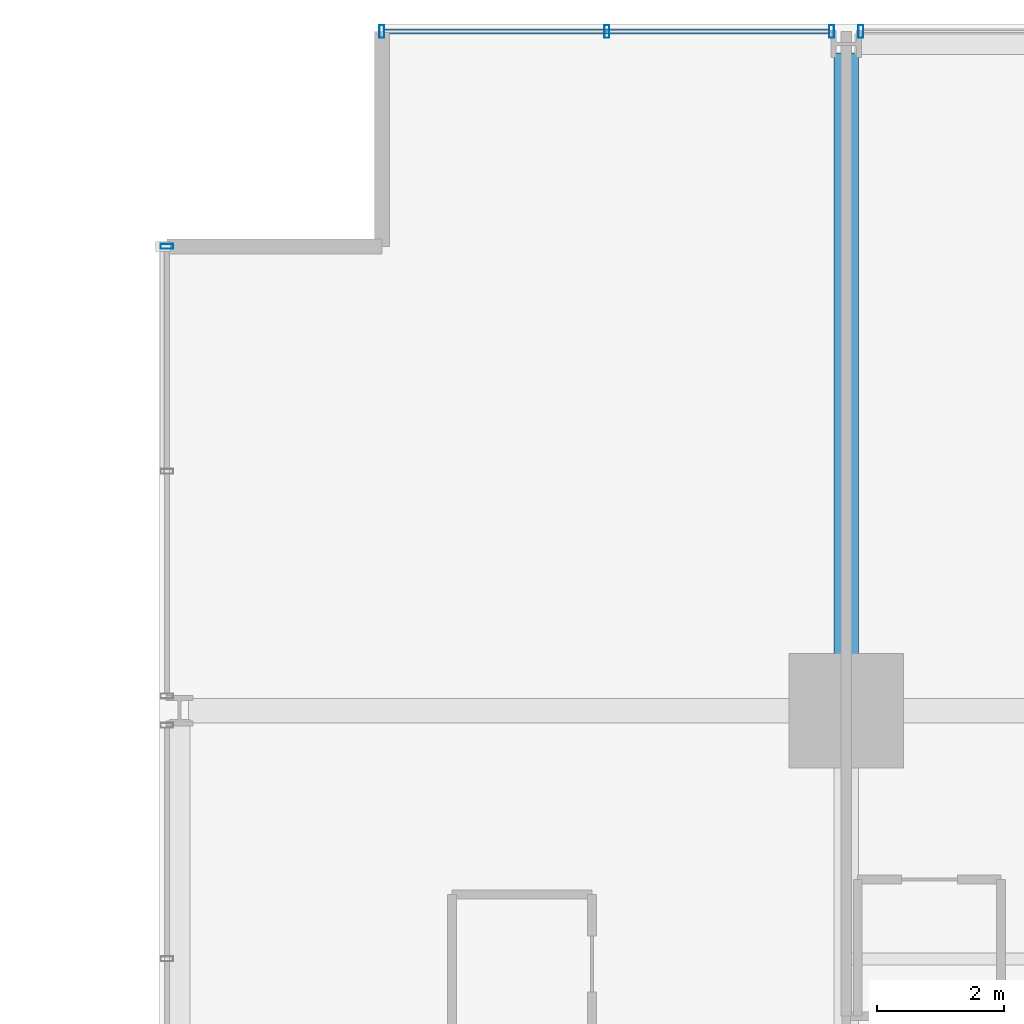
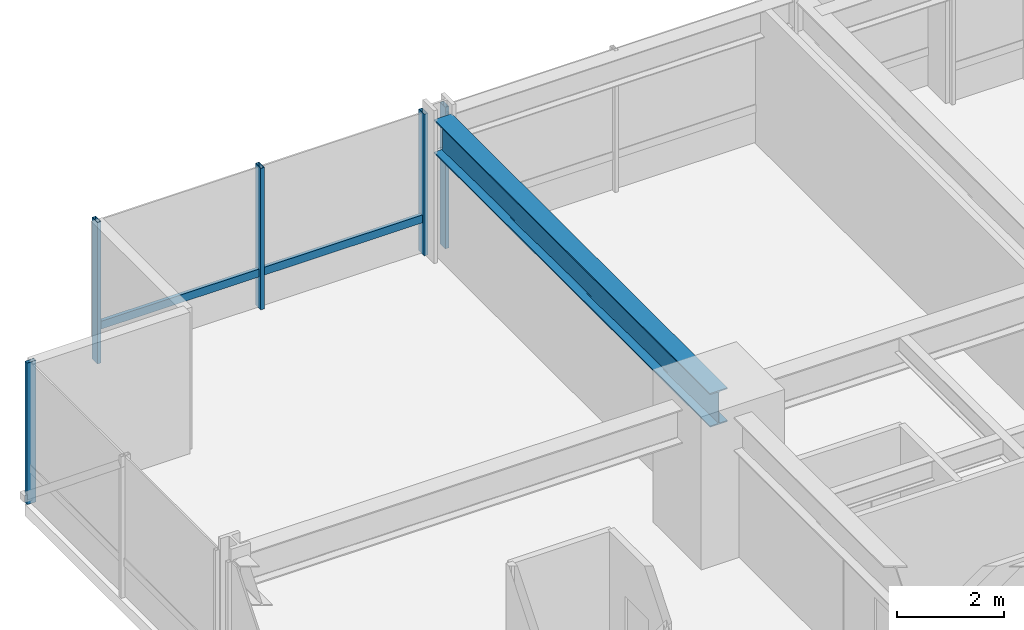
# One storey, part 21 of 38: 6 members, 1 beam, 3 elements without a shape of their own.
"""IFC4 building model written with IfcOpenShell, lengths in metres."""

import ifcopenshell
import ifcopenshell.guid

model = None  # the IFC model being written
_history = None  # IfcOwnerHistory: only IFC2X3 demands one
_inside = {}  # id of a spatial element -> (the spatial element, [elements in it])
_under = {}  # id of a project, library or spatial element -> (it, [spatial elements below it])
_declared = {}  # id of a project -> (the project, [libraries it declares])
_typed = {}  # id of a type object -> (the type object, [elements of that type])
_made_of = {}  # id of a material, layer set ... -> (it, [elements and type objects made of it])


def new_model(schema):
    """Start an empty IFC model of exactly this schema.

    Asked for "IFC4X3", IfcOpenShell would pick the latest addendum, in which some entities
    have other attributes; the version numbers below select the first issue.
    IFC2X3 requires an IfcOwnerHistory on every rooted entity: one is made here for all.
    """
    global model, _history
    if schema == "IFC4X3":
        model = ifcopenshell.file(schema_version=(4, 3, 0, 0))
    else:
        model = ifcopenshell.file(schema=schema)
    _inside.clear()
    _under.clear()
    _declared.clear()
    _typed.clear()
    _made_of.clear()
    _history = None
    if model.schema == "IFC2X3":
        org = make("IfcOrganization", Name="unknown")
        user = make(
            "IfcPersonAndOrganization",
            ThePerson=make("IfcPerson", FamilyName="unknown"),
            TheOrganization=org,
        )
        app = make(
            "IfcApplication",
            ApplicationDeveloper=org,
            Version="unknown",
            ApplicationFullName="unknown",
            ApplicationIdentifier="unknown",
        )
        _history = make(
            "IfcOwnerHistory",
            OwningUser=user,
            OwningApplication=app,
            ChangeAction="ADDED",
            CreationDate=0,
        )
    return model


def make(cls, **values):
    """One entity of the class cls with the attributes given. An attribute that is None is left unset."""
    return model.create_entity(
        cls, **{name: value for name, value in values.items() if value is not None}
    )


def rooted(cls, **values):
    """An entity with a GlobalId (a new one), such as an element, a storey or a relation."""
    return make(cls, GlobalId=ifcopenshell.guid.new(), OwnerHistory=_history, **values)


def si_unit(unit_type, name, prefix=None):
    """IfcSIUnit, for example si_unit("LENGTHUNIT", "METRE", prefix="MILLI")."""
    return make("IfcSIUnit", UnitType=unit_type, Prefix=prefix, Name=name)


def assignment(units):
    """IfcUnitAssignment: the units of a project."""
    return None if units is None else make("IfcUnitAssignment", Units=units)


def point(xyz):
    """IfcCartesianPoint."""
    return None if xyz is None else make("IfcCartesianPoint", Coordinates=xyz)


def direction(xyz):
    """IfcDirection."""
    return None if xyz is None else make("IfcDirection", DirectionRatios=xyz)


def frame(location, z_axis=None, x_axis=None):
    """IfcAxis2Placement3D, a coordinate frame: its origin and axes. An axis left out is left unset."""
    return make(
        "IfcAxis2Placement3D",
        Location=point(location),
        Axis=direction(z_axis),
        RefDirection=direction(x_axis),
    )


def frame_2d(location, x_axis=None):
    """IfcAxis2Placement2D, a coordinate frame in the plane: its origin and x axis."""
    return make(
        "IfcAxis2Placement2D", Location=point(location), RefDirection=direction(x_axis)
    )


def origin():
    """The frame at (0, 0, 0) with its axes left unset."""
    return frame((0.0, 0.0, 0.0))


def origin_2d():
    """The frame at (0, 0) in the plane with its x axis left unset."""
    return frame_2d((0.0, 0.0))


def place(relative_to, where):
    """IfcLocalPlacement: puts the frame where relative to a parent placement (None: the world)."""
    return make(
        "IfcLocalPlacement", PlacementRelTo=relative_to, RelativePlacement=where
    )


def context(
    kind, dimensions, precision=None, world=None, true_north=None, identifier=None
):
    """IfcGeometricRepresentationContext, for example the 3D "Model" context."""
    return make(
        "IfcGeometricRepresentationContext",
        ContextIdentifier=identifier,
        ContextType=kind,
        CoordinateSpaceDimension=dimensions,
        Precision=precision,
        WorldCoordinateSystem=world,
        TrueNorth=true_north,
    )


def subcontext(parent, identifier, kind, view, scale=None):
    """IfcGeometricRepresentationSubContext, for example "Body" below "Model"."""
    return make(
        "IfcGeometricRepresentationSubContext",
        ContextIdentifier=identifier,
        ContextType=kind,
        ParentContext=parent,
        TargetScale=scale,
        TargetView=view,
    )


def project(units=None, contexts=None):
    """IfcProject with its units and contexts."""
    return rooted(
        "IfcProject",
        Name="project",
        RepresentationContexts=contexts,
        UnitsInContext=assignment(units),
    )


def spatial(cls, under=None, at=None, **own):
    """A site, building, storey or space (cls), placed at a placement, below another one or the project."""
    s = rooted(cls, ObjectPlacement=at, **own)
    if under is not None:
        _under.setdefault(under.id(), (under, []))[1].append(s)
    return s


def profile(cls, at=None, kind="AREA", **sizes):
    """A parametric profile (cls). Its sizes go by their IFC names, for example OverallWidth=200.0."""
    return make(cls, ProfileType=kind, Position=at, **sizes)


def hollow_rectangle(**sizes):
    """IfcRectangleHollowProfileDef."""
    return profile("IfcRectangleHollowProfileDef", **sizes)


def i_section(**sizes):
    """IfcIShapeProfileDef."""
    return profile("IfcIShapeProfileDef", **sizes)


def extrude(swept, where, along, depth):
    """IfcExtrudedAreaSolid: the profile swept, set in the frame where, extruded along a direction by depth."""
    return make(
        "IfcExtrudedAreaSolid",
        SweptArea=swept,
        Position=where,
        ExtrudedDirection=direction(along),
        Depth=depth,
    )


def shape(context_of_items, identifier, shape_type, items):
    """IfcShapeRepresentation: the items that make up one representation, for example the "Body"."""
    return make(
        "IfcShapeRepresentation",
        ContextOfItems=context_of_items,
        RepresentationIdentifier=identifier,
        RepresentationType=shape_type,
        Items=items,
    )


def material(Name=None, Category=None):
    """IfcMaterial."""
    return make("IfcMaterial", Name=Name, Category=Category)


def layer(
    of_material, thickness, ventilated=None, Name=None, Category=None, Priority=None
):
    """IfcMaterialLayer: one layer of a wall or slab, of a material (None: an air gap)."""
    return make(
        "IfcMaterialLayer",
        Material=of_material,
        LayerThickness=thickness,
        IsVentilated=ventilated,
        Name=Name,
        Category=Category,
        Priority=Priority,
    )


def layer_set(layers, Name=None):
    """IfcMaterialLayerSet."""
    return make("IfcMaterialLayerSet", MaterialLayers=layers, LayerSetName=Name)


def material_profile(
    of_material, cross_section, Name=None, Category=None, Priority=None
):
    """IfcMaterialProfile: a cross section and its material."""
    return make(
        "IfcMaterialProfile",
        Name=Name,
        Material=of_material,
        Profile=cross_section,
        Priority=Priority,
        Category=Category,
    )


def profile_set(profiles, Name=None, composite=None):
    """IfcMaterialProfileSet."""
    return make(
        "IfcMaterialProfileSet",
        Name=Name,
        MaterialProfiles=profiles,
        CompositeProfile=composite,
    )


def made_of(thing, what):
    """Note that an element or type object is made of a material, layer set ...; save() writes the relation."""
    if what is not None:
        _made_of.setdefault(what.id(), (what, []))[1].append(thing)
    return thing


def type_object(cls, material=None, **own):
    """A type object (cls), such as IfcWallType, which elements share."""
    return made_of(rooted(cls, **own), material)


def element(
    cls,
    number,
    at=None,
    inside=None,
    cuts=None,
    type_object=None,
    material=None,
    context=None,
    identifier="Body",
    shape_type=None,
    held_by="IfcProductDefinitionShape",
    body=None,
    shapes=None,
    **own,
):
    """One element of the class cls, such as IfcWall. Its Tag is "e" and its number.

    at: its placement. inside: the storey or other place that contains it. cuts: it is an
    opening in that element (IfcRelVoidsElement). A single representation is given by context,
    identifier, shape_type and body (its items); several are given by shapes. held_by: the class
    of the entity that holds the representations. save() writes the other relations.
    """
    e = rooted(cls, Tag="e%d" % number, ObjectPlacement=at, **own)
    if body is not None:
        shapes = [shape(context, identifier, shape_type, body)]
    if shapes is not None:
        e.Representation = make(held_by, Representations=shapes)
    if inside is not None:
        _inside.setdefault(inside.id(), (inside, []))[1].append(e)
    if cuts is not None:
        rooted(
            "IfcRelVoidsElement", RelatingBuildingElement=cuts, RelatedOpeningElement=e
        )
    if type_object is not None:
        _typed.setdefault(type_object.id(), (type_object, []))[1].append(e)
    return made_of(e, material)


def aggregate(whole, parts):
    """IfcRelAggregates: a whole, such as a stair, and the parts it consists of."""
    return rooted("IfcRelAggregates", RelatingObject=whole, RelatedObjects=parts)


def save(model, path):
    """Write the relations noted so far, then the file.

    IfcRelAggregates (storeys below a building ...), IfcRelContainedInSpatialStructure (elements
    in a storey), IfcRelDefinesByType, IfcRelAssociatesMaterial and IfcRelDeclares: one each for
    every whole, place, type object, material and project.
    """
    for whole, parts in _under.values():
        aggregate(whole, parts)
    for where, things in _inside.values():
        rooted(
            "IfcRelContainedInSpatialStructure",
            RelatedElements=things,
            RelatingStructure=where,
        )
    for kind, things in _typed.values():
        rooted("IfcRelDefinesByType", RelatedObjects=things, RelatingType=kind)
    for what, things in _made_of.values():
        rooted("IfcRelAssociatesMaterial", RelatedObjects=things, RelatingMaterial=what)
    for by, libraries in _declared.values():
        rooted("IfcRelDeclares", RelatingContext=by, RelatedDefinitions=libraries)
    model.write(path)


model = new_model("IFC4")

# Units and contexts
model_context = context("Model", 3, precision=1e-05, world=origin(), true_north=direction((0.0, 1.0)))
body_context = subcontext(model_context, "Body", "Model", "MODEL_VIEW")
ifc_project = project(units=[si_unit("LENGTHUNIT", "METRE"), si_unit("AREAUNIT", "SQUARE_METRE"), si_unit("VOLUMEUNIT", "CUBIC_METRE"), si_unit("PLANEANGLEUNIT", "RADIAN"), si_unit("MASSUNIT", "GRAM", prefix="KILO")], contexts=[model_context])

# Site, building, storey
site_placement = place(None, origin())
site = spatial("IfcSite", under=ifc_project, at=site_placement, CompositionType="ELEMENT")
building_placement = place(site_placement, origin())
building = spatial("IfcBuilding", under=site, at=building_placement, Name="Drelvath Grand Hotel", CompositionType="ELEMENT")
storey_placement = place(building_placement, frame((0.0, 0.0, 61.199951171875)))
storey = spatial("IfcBuildingStorey", under=building, at=storey_placement, Name="L14", CompositionType="ELEMENT", Elevation=61.199951171875)

# Curtain wall, member
ifc_material_1 = material(Name="Warm Bronze Anodised Aluminium Frame", Category="aluminium")
ifc_layer = layer(ifc_material_1, 0.199951171875)
ifc_layer_set = layer_set([ifc_layer], Name="Warm Bronze Anodised Aluminium Frame")
curtain_wall_type = type_object("IfcCurtainWallType", Name="Stick Curtain Wall CW-02 Warm Bronze Low-Rise", PredefinedType="NOTDEFINED", material=ifc_layer_set)
curtain_wall_1_placement = place(storey_placement, origin())
curtain_wall_1 = element("IfcCurtainWall", 1, at=curtain_wall_1_placement, inside=storey, type_object=curtain_wall_type, Name="L14 CW-02 Curtain Wall CW02-L14-NW1", PredefinedType="NOTDEFINED")
ifc_material_profile_1 = material_profile(ifc_material_1, hollow_rectangle(XDim=0.074951171875, YDim=0.179931640625, WallThickness=0.0048828125, at=origin_2d()), Name="HSS180X75X5")
ifc_profile_set_1 = profile_set([ifc_material_profile_1], Name="Warm Bronze Anodised Aluminium Frame")
member_type_1 = type_object("IfcMemberType", Name="Curtain Wall Horizontal Transom CW-02 HSS180X75X5", PredefinedType="USERDEFINED", material=ifc_profile_set_1)
member_1_placement = place(storey_placement, frame((-23.4599609375, 53.8798828125, 0.81005859375), z_axis=(1.0, 0.0, 0.0), x_axis=(0.0, 1.0, 0.0)))
member_1 = element("IfcMember", 2, at=member_1_placement, type_object=member_type_1, Name="CW02-L14-NW1 Sill Transom", ObjectType="TRANSOM", PredefinedType="USERDEFINED", context=body_context, shape_type="SweptSolid", body=[
    extrude(hollow_rectangle(XDim=0.074951171875, YDim=0.179931640625, WallThickness=0.0048828125, at=origin_2d()), origin(), (0.0, 0.0, 1.0), 6.990966796875),
])

curtain_wall_2_placement = place(storey_placement, origin())
curtain_wall_2 = element("IfcCurtainWall", 3, at=curtain_wall_2_placement, inside=storey, type_object=curtain_wall_type, Name="L14 CW-02 Curtain Wall CW02-L14-WN3", PredefinedType="NOTDEFINED")
ifc_material_profile_2 = material_profile(ifc_material_1, hollow_rectangle(XDim=0.080078125, YDim=0.199951171875, WallThickness=0.0048828125, at=origin_2d()), Name="HSS200X80X5")
ifc_profile_set_2 = profile_set([ifc_material_profile_2], Name="Warm Bronze Anodised Aluminium Frame")
member_type_2 = type_object("IfcMemberType", Name="Curtain Wall Vertical Mullion CW-02 HSS200X80X5", PredefinedType="MULLION", material=ifc_profile_set_2)
member_2_placement = place(storey_placement, frame((-26.8798828125, 50.5, 0.0), z_axis=(0.0, 0.0, 1.0), x_axis=(0.0, 1.0, 0.0)))
member_2 = element("IfcMember", 4, at=member_2_placement, type_object=member_type_2, Name="CW02-L14-WN3 Mullion 3", PredefinedType="MULLION", context=body_context, shape_type="SweptSolid", body=[
    extrude(hollow_rectangle(XDim=0.080078125, YDim=0.199951171875, WallThickness=0.0048828125, at=origin_2d()), origin(), (0.0, 0.0, 1.0), 3.239990234375),
])
aggregate(curtain_wall_2, [member_2])

# Member
member_3_placement = place(storey_placement, frame((-23.5, 53.8798828125, 0.0), z_axis=(0.0, 0.0, 1.0), x_axis=(1.0, 0.0, 0.0)))
member_3 = element("IfcMember", 5, at=member_3_placement, type_object=member_type_2, Name="CW02-L14-NW1 Mullion 1", PredefinedType="MULLION", context=body_context, shape_type="SweptSolid", body=[
    extrude(hollow_rectangle(XDim=0.080078125, YDim=0.199951171875, WallThickness=0.0048828125, at=origin_2d()), origin(), (0.0, 0.0, 1.0), 3.239990234375),
])

member_4_placement = place(storey_placement, frame((-19.964599609375, 53.8798828125, 0.0), z_axis=(0.0, 0.0, 1.0), x_axis=(1.0, 0.0, 0.0)))
member_4 = element("IfcMember", 6, at=member_4_placement, type_object=member_type_2, Name="CW02-L14-NW1 Mullion 2", PredefinedType="MULLION", context=body_context, shape_type="SweptSolid", body=[
    extrude(hollow_rectangle(XDim=0.080078125, YDim=0.199951171875, WallThickness=0.0048828125, at=origin_2d()), origin(), (0.0, 0.0, 1.0), 3.239990234375),
])

member_5_placement = place(storey_placement, frame((-16.42919921875, 53.8798828125, 0.0), z_axis=(0.0, 0.0, 1.0), x_axis=(1.0, 0.0, 0.0)))
member_5 = element("IfcMember", 7, at=member_5_placement, type_object=member_type_2, Name="CW02-L14-NW1 Mullion 3", PredefinedType="MULLION", context=body_context, shape_type="SweptSolid", body=[
    extrude(hollow_rectangle(XDim=0.080078125, YDim=0.199951171875, WallThickness=0.0048828125, at=origin_2d()), origin(), (0.0, 0.0, 1.0), 3.239990234375),
])

aggregate(curtain_wall_1, [member_3, member_4, member_5, member_1])

# Curtain wall, member
curtain_wall_3_placement = place(storey_placement, origin())
curtain_wall_3 = element("IfcCurtainWall", 8, at=curtain_wall_3_placement, inside=storey, type_object=curtain_wall_type, Name="L14 CW-02 Curtain Wall CW02-L14-NW2", PredefinedType="NOTDEFINED")
member_6_placement = place(storey_placement, frame((-15.970947265625, 53.8798828125, 0.0), z_axis=(0.0, 0.0, 1.0), x_axis=(1.0, 0.0, 0.0)))
member_6 = element("IfcMember", 9, at=member_6_placement, type_object=member_type_2, Name="CW02-L14-NW2 Mullion 1", PredefinedType="MULLION", context=body_context, shape_type="SweptSolid", body=[
    extrude(hollow_rectangle(XDim=0.080078125, YDim=0.199951171875, WallThickness=0.0048828125, at=origin_2d()), origin(), (0.0, 0.0, 1.0), 3.239990234375),
])
aggregate(curtain_wall_3, [member_6])

# Beam
ifc_material_2 = material(Name="Steel ASTM A992 Gr 50", Category="steel")
ifc_material_profile_3 = material_profile(ifc_material_2, i_section(OverallWidth=0.380615234375, OverallDepth=0.773193359375, WebThickness=0.0166015625, FlangeThickness=0.027099609375, FilletRadius=0.02490234375, at=origin_2d()), Name="W30X173")
ifc_profile_set_3 = profile_set([ifc_material_profile_3], Name="Steel ASTM A992 Gr 50")
beam_type = type_object("IfcBeamType", Name="Primary Floor Girder W30X173", PredefinedType="BEAM", material=ifc_profile_set_3)
beam_placement = place(storey_placement, frame((-16.199951171875, 43.199951171875, 2.853515625), z_axis=(0.0, 1.0, 0.0), x_axis=(-1.0, 0.0, 0.0)))
element("IfcBeam", 10, at=beam_placement, inside=storey, type_object=beam_type, Name="L14 North Grid Girder 3", PredefinedType="BEAM", context=body_context, shape_type="SweptSolid", body=[
    extrude(i_section(OverallWidth=0.380615234375, OverallDepth=0.773193359375, WebThickness=0.0166015625, FlangeThickness=0.027099609375, FilletRadius=0.02490234375, at=origin_2d()), origin(), (0.0, 0.0, 1.0), 10.340087890625),
])

save(model, "model.ifc")
